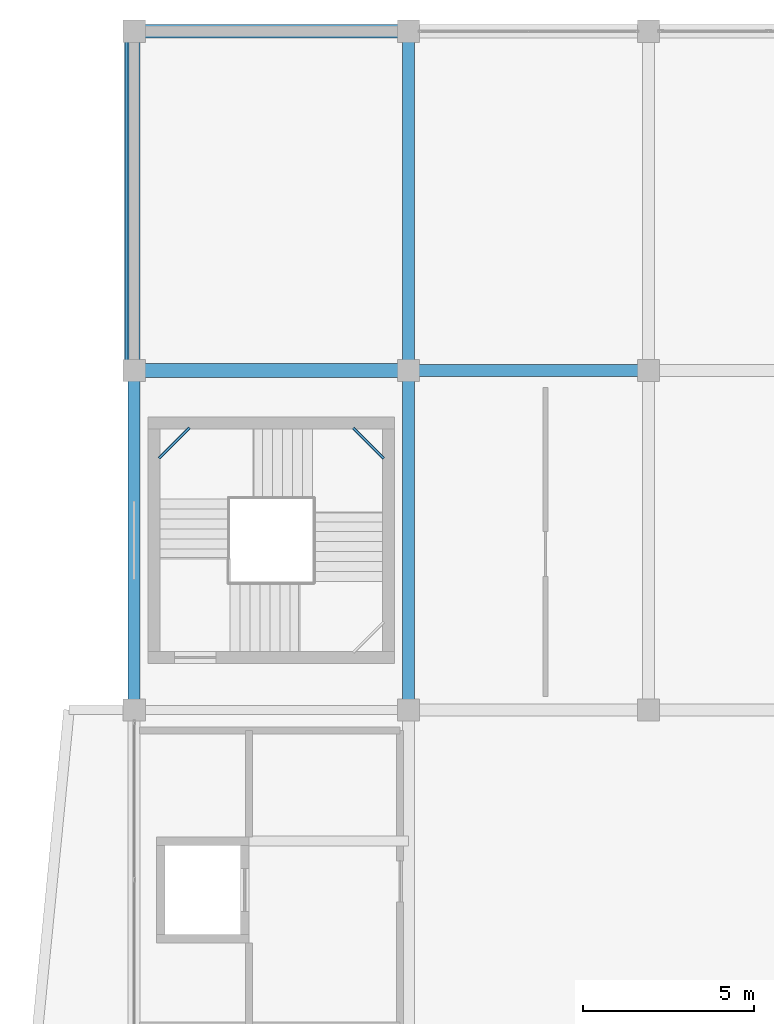
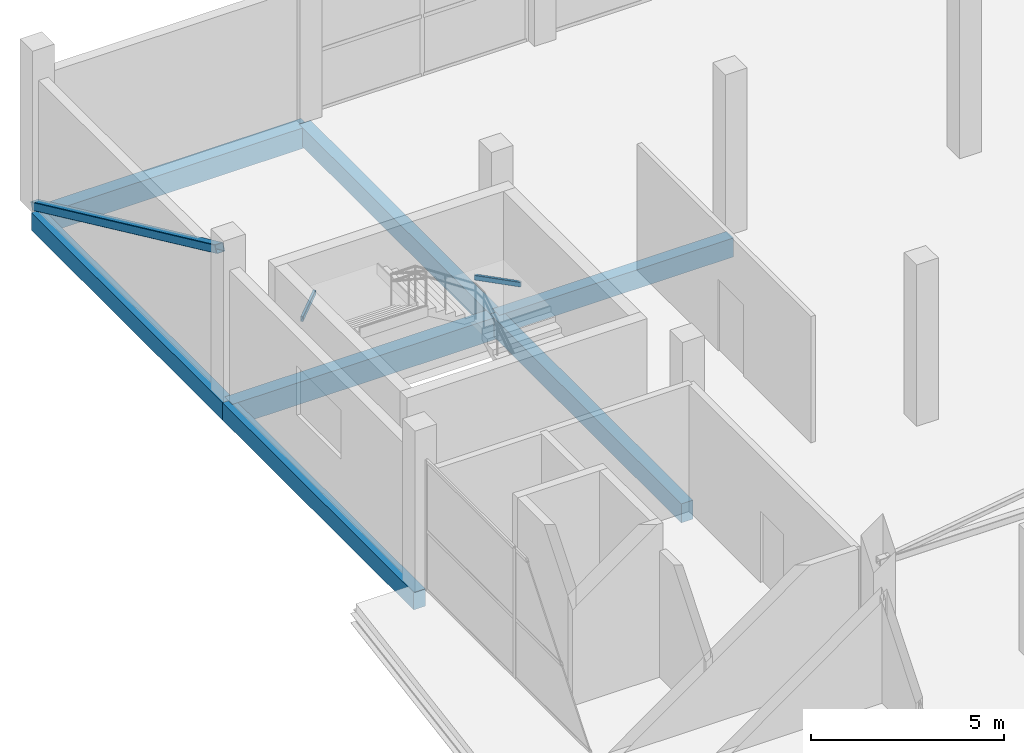
# One storey, part 39 of 66: 9 beams, 1 member.
"""IFC4 building model written with IfcOpenShell, lengths in metres."""

import ifcopenshell
import ifcopenshell.guid

model = None  # the IFC model being written
_history = None  # IfcOwnerHistory: only IFC2X3 demands one
_inside = {}  # id of a spatial element -> (the spatial element, [elements in it])
_under = {}  # id of a project, library or spatial element -> (it, [spatial elements below it])
_declared = {}  # id of a project -> (the project, [libraries it declares])
_typed = {}  # id of a type object -> (the type object, [elements of that type])
_made_of = {}  # id of a material, layer set ... -> (it, [elements and type objects made of it])


def new_model(schema):
    """Start an empty IFC model of exactly this schema.

    Asked for "IFC4X3", IfcOpenShell would pick the latest addendum, in which some entities
    have other attributes; the version numbers below select the first issue.
    IFC2X3 requires an IfcOwnerHistory on every rooted entity: one is made here for all.
    """
    global model, _history
    if schema == "IFC4X3":
        model = ifcopenshell.file(schema_version=(4, 3, 0, 0))
    else:
        model = ifcopenshell.file(schema=schema)
    _inside.clear()
    _under.clear()
    _declared.clear()
    _typed.clear()
    _made_of.clear()
    _history = None
    if model.schema == "IFC2X3":
        org = make("IfcOrganization", Name="unknown")
        user = make(
            "IfcPersonAndOrganization",
            ThePerson=make("IfcPerson", FamilyName="unknown"),
            TheOrganization=org,
        )
        app = make(
            "IfcApplication",
            ApplicationDeveloper=org,
            Version="unknown",
            ApplicationFullName="unknown",
            ApplicationIdentifier="unknown",
        )
        _history = make(
            "IfcOwnerHistory",
            OwningUser=user,
            OwningApplication=app,
            ChangeAction="ADDED",
            CreationDate=0,
        )
    return model


def make(cls, **values):
    """One entity of the class cls with the attributes given. An attribute that is None is left unset."""
    return model.create_entity(
        cls, **{name: value for name, value in values.items() if value is not None}
    )


def rooted(cls, **values):
    """An entity with a GlobalId (a new one), such as an element, a storey or a relation."""
    return make(cls, GlobalId=ifcopenshell.guid.new(), OwnerHistory=_history, **values)


def si_unit(unit_type, name, prefix=None):
    """IfcSIUnit, for example si_unit("LENGTHUNIT", "METRE", prefix="MILLI")."""
    return make("IfcSIUnit", UnitType=unit_type, Prefix=prefix, Name=name)


def assignment(units):
    """IfcUnitAssignment: the units of a project."""
    return None if units is None else make("IfcUnitAssignment", Units=units)


def point(xyz):
    """IfcCartesianPoint."""
    return None if xyz is None else make("IfcCartesianPoint", Coordinates=xyz)


def direction(xyz):
    """IfcDirection."""
    return None if xyz is None else make("IfcDirection", DirectionRatios=xyz)


def frame(location, z_axis=None, x_axis=None):
    """IfcAxis2Placement3D, a coordinate frame: its origin and axes. An axis left out is left unset."""
    return make(
        "IfcAxis2Placement3D",
        Location=point(location),
        Axis=direction(z_axis),
        RefDirection=direction(x_axis),
    )


def frame_2d(location, x_axis=None):
    """IfcAxis2Placement2D, a coordinate frame in the plane: its origin and x axis."""
    return make(
        "IfcAxis2Placement2D", Location=point(location), RefDirection=direction(x_axis)
    )


def origin():
    """The frame at (0, 0, 0) with its axes left unset."""
    return frame((0.0, 0.0, 0.0))


def origin_2d():
    """The frame at (0, 0) in the plane with its x axis left unset."""
    return frame_2d((0.0, 0.0))


def place(relative_to, where):
    """IfcLocalPlacement: puts the frame where relative to a parent placement (None: the world)."""
    return make(
        "IfcLocalPlacement", PlacementRelTo=relative_to, RelativePlacement=where
    )


def context(
    kind, dimensions, precision=None, world=None, true_north=None, identifier=None
):
    """IfcGeometricRepresentationContext, for example the 3D "Model" context."""
    return make(
        "IfcGeometricRepresentationContext",
        ContextIdentifier=identifier,
        ContextType=kind,
        CoordinateSpaceDimension=dimensions,
        Precision=precision,
        WorldCoordinateSystem=world,
        TrueNorth=true_north,
    )


def subcontext(parent, identifier, kind, view, scale=None):
    """IfcGeometricRepresentationSubContext, for example "Body" below "Model"."""
    return make(
        "IfcGeometricRepresentationSubContext",
        ContextIdentifier=identifier,
        ContextType=kind,
        ParentContext=parent,
        TargetScale=scale,
        TargetView=view,
    )


def project(units=None, contexts=None):
    """IfcProject with its units and contexts."""
    return rooted(
        "IfcProject",
        Name="project",
        RepresentationContexts=contexts,
        UnitsInContext=assignment(units),
    )


def spatial(cls, under=None, at=None, **own):
    """A site, building, storey or space (cls), placed at a placement, below another one or the project."""
    s = rooted(cls, ObjectPlacement=at, **own)
    if under is not None:
        _under.setdefault(under.id(), (under, []))[1].append(s)
    return s


def profile(cls, at=None, kind="AREA", **sizes):
    """A parametric profile (cls). Its sizes go by their IFC names, for example OverallWidth=200.0."""
    return make(cls, ProfileType=kind, Position=at, **sizes)


def rectangle(**sizes):
    """IfcRectangleProfileDef."""
    return profile("IfcRectangleProfileDef", **sizes)


def hollow_rectangle(**sizes):
    """IfcRectangleHollowProfileDef."""
    return profile("IfcRectangleHollowProfileDef", **sizes)


def extrude(swept, where, along, depth):
    """IfcExtrudedAreaSolid: the profile swept, set in the frame where, extruded along a direction by depth."""
    return make(
        "IfcExtrudedAreaSolid",
        SweptArea=swept,
        Position=where,
        ExtrudedDirection=direction(along),
        Depth=depth,
    )


def shape(context_of_items, identifier, shape_type, items):
    """IfcShapeRepresentation: the items that make up one representation, for example the "Body"."""
    return make(
        "IfcShapeRepresentation",
        ContextOfItems=context_of_items,
        RepresentationIdentifier=identifier,
        RepresentationType=shape_type,
        Items=items,
    )


def material(Name=None, Category=None):
    """IfcMaterial."""
    return make("IfcMaterial", Name=Name, Category=Category)


def material_profile(
    of_material, cross_section, Name=None, Category=None, Priority=None
):
    """IfcMaterialProfile: a cross section and its material."""
    return make(
        "IfcMaterialProfile",
        Name=Name,
        Material=of_material,
        Profile=cross_section,
        Priority=Priority,
        Category=Category,
    )


def profile_set(profiles, Name=None, composite=None):
    """IfcMaterialProfileSet."""
    return make(
        "IfcMaterialProfileSet",
        Name=Name,
        MaterialProfiles=profiles,
        CompositeProfile=composite,
    )


def made_of(thing, what):
    """Note that an element or type object is made of a material, layer set ...; save() writes the relation."""
    if what is not None:
        _made_of.setdefault(what.id(), (what, []))[1].append(thing)
    return thing


def type_object(cls, material=None, **own):
    """A type object (cls), such as IfcWallType, which elements share."""
    return made_of(rooted(cls, **own), material)


def element(
    cls,
    number,
    at=None,
    inside=None,
    cuts=None,
    type_object=None,
    material=None,
    context=None,
    identifier="Body",
    shape_type=None,
    held_by="IfcProductDefinitionShape",
    body=None,
    shapes=None,
    **own,
):
    """One element of the class cls, such as IfcWall. Its Tag is "e" and its number.

    at: its placement. inside: the storey or other place that contains it. cuts: it is an
    opening in that element (IfcRelVoidsElement). A single representation is given by context,
    identifier, shape_type and body (its items); several are given by shapes. held_by: the class
    of the entity that holds the representations. save() writes the other relations.
    """
    e = rooted(cls, Tag="e%d" % number, ObjectPlacement=at, **own)
    if body is not None:
        shapes = [shape(context, identifier, shape_type, body)]
    if shapes is not None:
        e.Representation = make(held_by, Representations=shapes)
    if inside is not None:
        _inside.setdefault(inside.id(), (inside, []))[1].append(e)
    if cuts is not None:
        rooted(
            "IfcRelVoidsElement", RelatingBuildingElement=cuts, RelatedOpeningElement=e
        )
    if type_object is not None:
        _typed.setdefault(type_object.id(), (type_object, []))[1].append(e)
    return made_of(e, material)


def aggregate(whole, parts):
    """IfcRelAggregates: a whole, such as a stair, and the parts it consists of."""
    return rooted("IfcRelAggregates", RelatingObject=whole, RelatedObjects=parts)


def save(model, path):
    """Write the relations noted so far, then the file.

    IfcRelAggregates (storeys below a building ...), IfcRelContainedInSpatialStructure (elements
    in a storey), IfcRelDefinesByType, IfcRelAssociatesMaterial and IfcRelDeclares: one each for
    every whole, place, type object, material and project.
    """
    for whole, parts in _under.values():
        aggregate(whole, parts)
    for where, things in _inside.values():
        rooted(
            "IfcRelContainedInSpatialStructure",
            RelatedElements=things,
            RelatingStructure=where,
        )
    for kind, things in _typed.values():
        rooted("IfcRelDefinesByType", RelatedObjects=things, RelatingType=kind)
    for what, things in _made_of.values():
        rooted("IfcRelAssociatesMaterial", RelatedObjects=things, RelatingMaterial=what)
    for by, libraries in _declared.values():
        rooted("IfcRelDeclares", RelatingContext=by, RelatedDefinitions=libraries)
    model.write(path)


model = new_model("IFC4")

# Units and contexts
model_context = context("Model", 3, precision=1e-05, world=origin(), true_north=direction((0.0, 1.0)))
body_context = subcontext(model_context, "Body", "Model", "MODEL_VIEW")
ifc_project = project(units=[si_unit("LENGTHUNIT", "METRE"), si_unit("AREAUNIT", "SQUARE_METRE"), si_unit("VOLUMEUNIT", "CUBIC_METRE"), si_unit("PLANEANGLEUNIT", "RADIAN"), si_unit("MASSUNIT", "GRAM", prefix="KILO")], contexts=[model_context])

# Site, building, storey
site_placement = place(None, origin())
site = spatial("IfcSite", under=ifc_project, at=site_placement, CompositionType="ELEMENT")
building_placement = place(site_placement, origin())
building = spatial("IfcBuilding", under=site, at=building_placement, Name="Sillaruma Civic Art Gallery", CompositionType="ELEMENT")
storey_placement = place(building_placement, frame((0.0, 0.0, 57.1201171875)))
storey = spatial("IfcBuildingStorey", under=building, at=storey_placement, Name="L11", CompositionType="ELEMENT", Elevation=57.1201171875)

# Beams
ifc_material_1 = material(Name="Concrete H35 (35 MPa)", Category="concrete")
ifc_material_profile_1 = material_profile(ifc_material_1, rectangle(XDim=0.35009765625, YDim=0.60009765625, at=origin_2d()), Name="RCB350x600")
ifc_profile_set_1 = profile_set([ifc_material_profile_1], Name="Concrete H35 (35 MPa)")
beam_type_1 = type_object("IfcBeamType", Name="BM-BEAM-RCB350x600", PredefinedType="BEAM", material=ifc_profile_set_1)
beam_1_placement = place(storey_placement, frame((70.0, 89.10009765625, -0.550048828125), z_axis=(1.0, 0.0, 0.0), x_axis=(0.0, 1.0, 0.0)))
element("IfcBeam", 1, at=beam_1_placement, inside=storey, type_object=beam_type_1, Name="Beam BM-06 (L10:10:G-H)", PredefinedType="BEAM", context=body_context, shape_type="SweptSolid", body=[
    extrude(rectangle(XDim=0.35009765625, YDim=0.60009765625, at=origin_2d()), origin(), (0.0, 0.0, 1.0), 7.0),
])
beam_2_placement = place(storey_placement, frame((70.0, 79.199951171875, -0.550048828125), z_axis=(0.0, 1.0, 0.0), x_axis=(-1.0, 0.0, 0.0)))
element("IfcBeam", 2, at=beam_2_placement, inside=storey, type_object=beam_type_1, Name="Beam BM-06 (L10:G:9-10)", PredefinedType="BEAM", context=body_context, shape_type="SweptSolid", body=[
    extrude(rectangle(XDim=0.35009765625, YDim=0.60009765625, at=origin_2d()), origin(), (0.0, 0.0, 1.0), 9.900146484375),
])
beam_3_placement = place(storey_placement, frame((70.0, 89.10009765625, -0.550048828125), z_axis=(0.0, 1.0, 0.0), x_axis=(-1.0, 0.0, 0.0)))
element("IfcBeam", 3, at=beam_3_placement, inside=storey, type_object=beam_type_1, Name="Beam BM-06 (L10:G:10-11)", PredefinedType="BEAM", context=body_context, shape_type="SweptSolid", body=[
    extrude(rectangle(XDim=0.35009765625, YDim=0.60009765625, at=origin_2d()), origin(), (0.0, 0.0, 1.0), 9.89990234375),
])
ifc_material_profile_2 = material_profile(ifc_material_1, rectangle(XDim=0.39990234375, YDim=0.699951171875, at=origin_2d()), Name="RCB400x700")
ifc_profile_set_2 = profile_set([ifc_material_profile_2], Name="Concrete H35 (35 MPa)")
beam_type_2 = type_object("IfcBeamType", Name="BM-BEAM-RCB400x700", PredefinedType="BEAM", material=ifc_profile_set_2)
beam_4_placement = place(storey_placement, frame((62.0, 89.10009765625, -0.60009765625), z_axis=(1.0, 0.0, 0.0), x_axis=(0.0, 1.0, 0.0)))
element("IfcBeam", 4, at=beam_4_placement, inside=storey, type_object=beam_type_2, Name="Beam BM-04 (L10:10:F-G)", PredefinedType="BEAM", context=body_context, shape_type="SweptSolid", body=[
    extrude(rectangle(XDim=0.39990234375, YDim=0.699951171875, at=origin_2d()), origin(), (0.0, 0.0, 1.0), 8.0),
])
ifc_material_2 = material(Name="Structural Steel ASTM A500 Gr.C", Category="steel")
ifc_material_profile_3 = material_profile(ifc_material_2, hollow_rectangle(XDim=0.080078125, YDim=0.159912109375, WallThickness=0.008056640625, InnerFilletRadius=0.008056640625, OuterFilletRadius=0.01611328125, at=origin_2d()), Name="HSS160x80x8")
ifc_profile_set_3 = profile_set([ifc_material_profile_3], Name="Structural Steel ASTM A500 Gr.C")
beam_type_3 = type_object("IfcBeamType", Name="BM-LND-HSS160", PredefinedType="BEAM", material=ifc_profile_set_3)
for number, where, z_axis, x_axis, name in (
    (5, (68.389892578125, 87.429931640625, 2.43994140625), (0.707203758046, -0.707009791025, 0.0), (0.707009791025, 0.707203758046, 0.0), "Stair Corner Landing Trimmer Beam (ST-02-L11-2)"),
    (6, (62.719970703125, 86.5400390625, 3.6298828125), (0.707203758046, 0.707009791025, 0.0), (-0.707009791025, 0.707203758046, 0.0), "Stair Corner Landing Trimmer Beam (ST-02-L11-3)"),
):
    element("IfcBeam", number, at=place(storey_placement, frame(where, z_axis=z_axis, x_axis=x_axis)), inside=storey, type_object=beam_type_3, Name=name, PredefinedType="BEAM", context=body_context, shape_type="SweptSolid", body=[
        extrude(hollow_rectangle(XDim=0.080078125, YDim=0.159912109375, WallThickness=0.008056640625, InnerFilletRadius=0.008056640625, OuterFilletRadius=0.01611328125, at=origin_2d()), origin(), (0.0, 0.0, 1.0), 1.2587890625),
    ])
ifc_material_profile_4 = material_profile(ifc_material_1, rectangle(XDim=0.35009765625, YDim=0.550048828125, at=origin_2d()), Name="RCB350x550")
ifc_profile_set_4 = profile_set([ifc_material_profile_4], Name="Concrete H35 (35 MPa)")
beam_type_4 = type_object("IfcBeamType", Name="BM-SPANDREL-RCB350x550", PredefinedType="SPANDREL", material=ifc_profile_set_4)
beam_5_placement = place(storey_placement, frame((62.0, 79.199951171875, -0.525146484375), z_axis=(0.0, 1.0, 0.0), x_axis=(-1.0, 0.0, 0.0)))
element("IfcBeam", 7, at=beam_5_placement, inside=storey, type_object=beam_type_4, Name="Beam BS-04 (L10:F:9-10)", PredefinedType="SPANDREL", context=body_context, shape_type="SweptSolid", body=[
    extrude(rectangle(XDim=0.35009765625, YDim=0.550048828125, at=origin_2d()), origin(), (0.0, 0.0, 1.0), 9.900146484375),
])
beam_6_placement = place(storey_placement, frame((62.0, 89.10009765625, -0.525146484375), z_axis=(0.0, 1.0, 0.0), x_axis=(-1.0, 0.0, 0.0)))
element("IfcBeam", 8, at=beam_6_placement, inside=storey, type_object=beam_type_4, Name="Beam BS-04 (L10:F:10-11)", PredefinedType="SPANDREL", context=body_context, shape_type="SweptSolid", body=[
    extrude(rectangle(XDim=0.35009765625, YDim=0.550048828125, at=origin_2d()), origin(), (0.0, 0.0, 1.0), 9.89990234375),
])
ifc_material_profile_5 = material_profile(ifc_material_1, rectangle(XDim=0.39990234375, YDim=0.64990234375, at=origin_2d()), Name="RCB400x650")
ifc_profile_set_5 = profile_set([ifc_material_profile_5], Name="Concrete H35 (35 MPa)")
beam_type_5 = type_object("IfcBeamType", Name="BM-SPANDREL-RCB400x650", PredefinedType="SPANDREL", material=ifc_profile_set_5)
beam_7_placement = place(storey_placement, frame((62.0, 99.0, -0.5751953125), z_axis=(1.0, 0.0, 0.0), x_axis=(0.0, 1.0, 0.0)))
element("IfcBeam", 9, at=beam_7_placement, inside=storey, type_object=beam_type_5, Name="Beam BS-02 (L10:11:F-G)", PredefinedType="SPANDREL", context=body_context, shape_type="SweptSolid", body=[
    extrude(rectangle(XDim=0.39990234375, YDim=0.64990234375, at=origin_2d()), origin(), (0.0, 0.0, 1.0), 8.0),
])

# Member
ifc_material_profile_6 = material_profile(ifc_material_2, hollow_rectangle(XDim=0.25, YDim=0.25, WallThickness=0.012451171875, InnerFilletRadius=0.012451171875, OuterFilletRadius=0.02490234375, at=origin_2d()), Name="HSS250x250x12.5")
ifc_profile_set_6 = profile_set([ifc_material_profile_6], Name="Structural Steel ASTM A500 Gr.C")
member_type = type_object("IfcMemberType", Name="MEM-MEGA-BRACE", PredefinedType="BRACE", material=ifc_profile_set_6)
member_placement = place(storey_placement, frame((61.85009765625, 98.820068359375, 0.099853515625), z_axis=(0.0, -0.907349492377, 0.420377091053), x_axis=(1.0, 0.0, 0.0)))
element("IfcMember", 10, at=member_placement, inside=storey, type_object=member_type, Name="Exterior Expressed Gallery Seismic Diagonal Brace (L11-WN)", PredefinedType="BRACE", context=body_context, shape_type="SweptSolid", body=[
    extrude(hollow_rectangle(XDim=0.25, YDim=0.25, WallThickness=0.012451171875, InnerFilletRadius=0.012451171875, OuterFilletRadius=0.02490234375, at=origin_2d()), origin(), (0.0, 0.0, 1.0), 10.51416015625),
])

save(model, "model.ifc")
